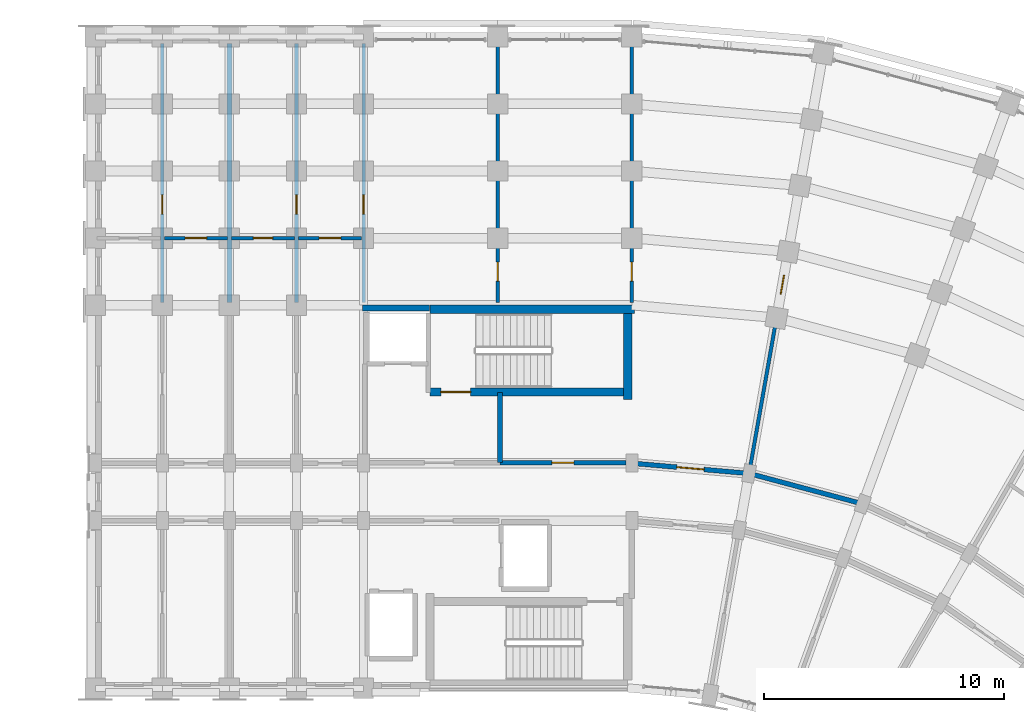
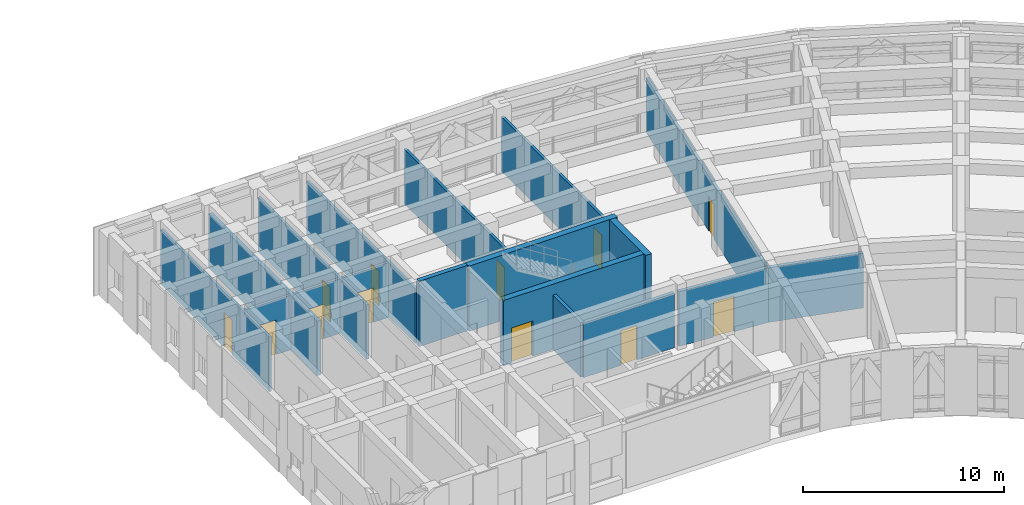
# One storey, part 74 of 97: 18 walls, 12 doors, 12 openings.
"""IFC4 building model written with IfcOpenShell, lengths in metres."""

from ifc_helpers import new_model, si_unit, direction, frame, frame_2d, origin, place, context, subcontext, project, spatial, rectangle, extrude, material, layer, layer_set, type_object, element, fill, save


model = new_model("IFC4")

# Units and contexts
model_context = context("Model", 3, precision=1e-05, world=origin(), true_north=direction((0.0, 1.0)))
body_context = subcontext(model_context, "Body", "Model", "MODEL_VIEW")
ifc_project = project(units=[si_unit("LENGTHUNIT", "METRE"), si_unit("AREAUNIT", "SQUARE_METRE"), si_unit("VOLUMEUNIT", "CUBIC_METRE"), si_unit("PLANEANGLEUNIT", "RADIAN"), si_unit("MASSUNIT", "GRAM", prefix="KILO")], contexts=[model_context])

# Site, building, storey
site_placement = place(None, origin())
site = spatial("IfcSite", under=ifc_project, at=site_placement, CompositionType="ELEMENT")
building_placement = place(site_placement, origin())
building = spatial("IfcBuilding", under=site, at=building_placement, Name="Kiranvali Square Residences", CompositionType="ELEMENT")
storey_placement = place(building_placement, frame((0.0, 0.0, 4.5)))
storey = spatial("IfcBuildingStorey", under=building, at=storey_placement, Name="L01", CompositionType="ELEMENT", Elevation=4.5)

# Wall, opening, door
ifc_material_1 = material(Name="Autoclaved aerated concrete blockwork masonry", Category="masonry")
ifc_layer_1 = layer(ifc_material_1, 0.199951171875)
ifc_layer_set_1 = layer_set([ifc_layer_1], Name="Autoclaved aerated concrete blockwork masonry")
wall_type_1 = type_object("IfcWallType", Name="WL-COR-200", PredefinedType="STANDARD", material=ifc_layer_set_1)
wall_1_placement = place(storey_placement, frame((119.800048828125, 116.0, 0.0), z_axis=(0.0, 0.0, 1.0), x_axis=(0.996193663584, -0.087167566415, 0.0)))
wall_1 = element("IfcWall", 1, at=wall_1_placement, inside=storey, type_object=wall_type_1, Name="L01 architectural wall WL-L01-B-CCO-0", PredefinedType="STANDARD", context=body_context, shape_type="SweptSolid", body=[
    extrude(rectangle(XDim=4.91552734375, YDim=0.199951171875, at=frame_2d((2.457763671875, 0.0))), origin(), (0.0, 0.0, 1.0), 3.322021484375),
])
opening_1_placement = place(wall_1_placement, frame((1.8876953125, 0.0, 0.0)))
opening_1 = element("IfcOpeningElement", 2, at=opening_1_placement, cuts=wall_1, Name="Opening FD-APT-60D", PredefinedType="OPENING", context=body_context, shape_type="SweptSolid", body=[
    extrude(rectangle(XDim=1.139892578125, YDim=2.14990234375, at=frame_2d((0.56982421875, 1.074951171875))), frame((0.0, 0.10986328125, 0.0), z_axis=(0.0, -1.0, 0.0), x_axis=(1.0, 0.0, 0.0)), (0.0, 0.0, 1.0), 0.219970703125),
])
ifc_material_2 = material(Name="Fire-rated acoustic hardwood and mineral-core door assembly", Category="wood")
door_type_1 = type_object("IfcDoorType", Name="DR-APT-1140", OperationType="NOTDEFINED", PredefinedType="DOOR", material=ifc_material_2)
door_1_placement = place(opening_1_placement, frame((1.139892578125, 0.0, 0.0), z_axis=(0.0, 0.0, 1.0), x_axis=(-1.0, 0.0, 0.0)))
door_1 = element("IfcDoor", 3, at=door_1_placement, inside=storey, type_object=door_type_1, Name="L01 door DR-L01-1036 (DR-APT-1140)", OperationType="SINGLE_SWING_RIGHT", OverallHeight=2.14990234375, OverallWidth=1.139892578125, PredefinedType="DOOR", context=body_context, shape_type="SweptSolid", body=[
    extrude(rectangle(XDim=1.139892578125, YDim=2.14990234375, at=frame_2d((0.56982421875, 1.074951171875))), frame((0.0, 0.02490234375, 0.0), z_axis=(0.0, -1.0, 0.0), x_axis=(1.0, 0.0, 0.0)), (0.0, 0.0, 1.0), 0.050048828125),
])
fill(opening_1, door_1)

# Walls
wall_2_placement = place(storey_placement, frame((124.69677734375, 115.571533203125, 0.0), z_axis=(0.0, 0.0, 1.0), x_axis=(0.965930095386, -0.258803112091, 0.0)))
element("IfcWall", 4, at=wall_2_placement, inside=storey, type_object=wall_type_1, Name="L01 architectural wall WL-L01-B-CCO-1", PredefinedType="STANDARD", context=body_context, shape_type="SweptSolid", body=[
    extrude(rectangle(XDim=4.915771484375, YDim=0.199951171875, at=frame_2d((2.4580078125, 0.0))), origin(), (0.0, 0.0, 1.0), 3.322021484375),
])
ifc_layer_2 = layer(ifc_material_1, 0.219970703125)
ifc_layer_set_2 = layer_set([ifc_layer_2], Name="Autoclaved aerated concrete blockwork masonry")
wall_type_2 = type_object("IfcWallType", Name="WL-DEM-220", PredefinedType="STANDARD", material=ifc_layer_set_2)
wall_3_placement = place(storey_placement, frame((103.0, 122.699951171875, 0.0), z_axis=(0.0, 0.0, 1.0), x_axis=(0.0, 1.0, 0.0)))
element("IfcWall", 5, at=wall_3_placement, inside=storey, type_object=wall_type_2, Name="L01 architectural wall WL-L01-B-A1TO2-2", PredefinedType="STANDARD", context=body_context, shape_type="SweptSolid", body=[
    extrude(rectangle(XDim=10.820068359375, YDim=0.219970703125, at=frame_2d((5.41015625, 0.0))), origin(), (0.0, 0.0, 1.0), 3.322021484375),
])
ifc_layer_3 = layer(ifc_material_1, 0.199951171875)
ifc_layer_set_3 = layer_set([ifc_layer_3], Name="Autoclaved aerated concrete blockwork masonry")
wall_type_3 = type_object("IfcWallType", Name="WL-FFL-200", PredefinedType="STANDARD", material=ifc_layer_set_3)
wall_4_placement = place(storey_placement, frame((114.300048828125, 116.02001953125, 0.0), z_axis=(0.0, 0.0, 1.0), x_axis=(0.0, 1.0, 0.0)))
element("IfcWall", 6, at=wall_4_placement, inside=storey, type_object=wall_type_3, Name="L01 architectural wall WL-L01-B-FF-DIV", PredefinedType="STANDARD", context=body_context, shape_type="SweptSolid", body=[
    extrude(rectangle(XDim=2.929931640625, YDim=0.199951171875, at=frame_2d((1.46484375, 0.0))), origin(), (0.0, 0.0, 1.0), 3.322021484375),
])

# Wall, opening, door
ifc_material_3 = material(Name="Acoustic gypsum board drylined partition", Category="gypsum")
ifc_layer_4 = layer(ifc_material_3, 0.14990234375)
ifc_layer_set_4 = layer_set([ifc_layer_4], Name="Acoustic gypsum board drylined partition")
wall_type_4 = type_object("IfcWallType", Name="WL-PRT-150", PredefinedType="PARTITIONING", material=ifc_layer_set_4)
wall_5_placement = place(storey_placement, frame((114.199951171875, 122.699951171875, 0.0), z_axis=(0.0, 0.0, 1.0), x_axis=(0.0, 1.0, 0.0)))
wall_5 = element("IfcWall", 7, at=wall_5_placement, inside=storey, type_object=wall_type_4, Name="L01 architectural wall WL-L01-B-CF-MID", PredefinedType="PARTITIONING", context=body_context, shape_type="SweptSolid", body=[
    extrude(rectangle(XDim=10.820068359375, YDim=0.14990234375, at=frame_2d((5.41015625, 0.0))), origin(), (0.0, 0.0, 1.0), 3.322021484375),
])
opening_2_placement = place(wall_5_placement, frame((0.8994140625, 0.0, 0.0)))
opening_2 = element("IfcOpeningElement", 8, at=opening_2_placement, cuts=wall_5, Name="Opening ID-WET", PredefinedType="OPENING", context=body_context, shape_type="SweptSolid", body=[
    extrude(rectangle(XDim=0.800048828125, YDim=2.10009765625, at=frame_2d((0.39990234375, 1.050048828125))), frame((0.0, 0.0849609375, 0.0), z_axis=(0.0, -1.0, 0.0), x_axis=(1.0, 0.0, 0.0)), (0.0, 0.0, 1.0), 0.169921875),
])
ifc_material_4 = material(Name="Solid seasoned teak hardwood joinery", Category="wood")
door_type_2 = type_object("IfcDoorType", Name="DR-WET-800", OperationType="NOTDEFINED", PredefinedType="DOOR", material=ifc_material_4)
door_2_placement = place(opening_2_placement, origin())
door_2 = element("IfcDoor", 9, at=door_2_placement, inside=storey, type_object=door_type_2, Name="L01 door DR-L01-1009 (DR-WET-800)", OperationType="SINGLE_SWING_LEFT", OverallHeight=2.10009765625, OverallWidth=0.800048828125, PredefinedType="DOOR", context=body_context, shape_type="SweptSolid", body=[
    extrude(rectangle(XDim=0.800048828125, YDim=2.10009765625, at=frame_2d((0.39990234375, 1.050048828125))), frame((0.0, 0.02490234375, 0.0), z_axis=(0.0, -1.0, 0.0), x_axis=(1.0, 0.0, 0.0)), (0.0, 0.0, 1.0), 0.050048828125),
])
fill(opening_2, door_2)

wall_6_placement = place(storey_placement, frame((108.60009765625, 122.699951171875, 0.0), z_axis=(0.0, 0.0, 1.0), x_axis=(0.0, 1.0, 0.0)))
wall_6 = element("IfcWall", 10, at=wall_6_placement, inside=storey, type_object=wall_type_4, Name="L01 architectural wall WL-L01-B-A1TO2-0", PredefinedType="PARTITIONING", context=body_context, shape_type="SweptSolid", body=[
    extrude(rectangle(XDim=10.820068359375, YDim=0.14990234375, at=frame_2d((5.41015625, 0.0))), origin(), (0.0, 0.0, 1.0), 3.322021484375),
])
opening_3_placement = place(wall_6_placement, frame((3.69970703125, 0.0, 0.0)))
opening_3 = element("IfcOpeningElement", 11, at=opening_3_placement, cuts=wall_6, Name="Opening ID-WET", PredefinedType="OPENING", context=body_context, shape_type="SweptSolid", body=[
    extrude(rectangle(XDim=0.800048828125, YDim=2.10009765625, at=frame_2d((0.39990234375, 1.050048828125))), frame((0.0, 0.0849609375, 0.0), z_axis=(0.0, -1.0, 0.0), x_axis=(1.0, 0.0, 0.0)), (0.0, 0.0, 1.0), 0.169921875),
])
door_3_placement = place(opening_3_placement, frame((0.800048828125, 0.0, 0.0), z_axis=(0.0, 0.0, 1.0), x_axis=(-1.0, 0.0, 0.0)))
door_3 = element("IfcDoor", 12, at=door_3_placement, inside=storey, type_object=door_type_2, Name="L01 door DR-L01-1018 (DR-WET-800)", OperationType="SINGLE_SWING_RIGHT", OverallHeight=2.10009765625, OverallWidth=0.800048828125, PredefinedType="DOOR", context=body_context, shape_type="SweptSolid", body=[
    extrude(rectangle(XDim=0.800048828125, YDim=2.10009765625, at=frame_2d((0.39990234375, 1.050048828125))), frame((0.0, 0.02490234375, 0.0), z_axis=(0.0, -1.0, 0.0), x_axis=(1.0, 0.0, 0.0)), (0.0, 0.0, 1.0), 0.050048828125),
])
fill(opening_3, door_3)

wall_7_placement = place(storey_placement, frame((105.800048828125, 122.699951171875, 0.0), z_axis=(0.0, 0.0, 1.0), x_axis=(0.0, 1.0, 0.0)))
wall_7 = element("IfcWall", 13, at=wall_7_placement, inside=storey, type_object=wall_type_4, Name="L01 architectural wall WL-L01-B-A1TO2-1", PredefinedType="PARTITIONING", context=body_context, shape_type="SweptSolid", body=[
    extrude(rectangle(XDim=10.820068359375, YDim=0.14990234375, at=frame_2d((5.41015625, 0.0))), origin(), (0.0, 0.0, 1.0), 3.322021484375),
])
opening_4_placement = place(wall_7_placement, frame((3.69970703125, 0.0, 0.0)))
opening_4 = element("IfcOpeningElement", 14, at=opening_4_placement, cuts=wall_7, Name="Opening ID-WET", PredefinedType="OPENING", context=body_context, shape_type="SweptSolid", body=[
    extrude(rectangle(XDim=0.800048828125, YDim=2.10009765625, at=frame_2d((0.39990234375, 1.050048828125))), frame((0.0, 0.0849609375, 0.0), z_axis=(0.0, -1.0, 0.0), x_axis=(1.0, 0.0, 0.0)), (0.0, 0.0, 1.0), 0.169921875),
])
door_4_placement = place(opening_4_placement, origin())
door_4 = element("IfcDoor", 15, at=door_4_placement, inside=storey, type_object=door_type_2, Name="L01 door DR-L01-1021 (DR-WET-800)", OperationType="SINGLE_SWING_LEFT", OverallHeight=2.10009765625, OverallWidth=0.800048828125, PredefinedType="DOOR", context=body_context, shape_type="SweptSolid", body=[
    extrude(rectangle(XDim=0.800048828125, YDim=2.10009765625, at=frame_2d((0.39990234375, 1.050048828125))), frame((0.0, 0.02490234375, 0.0), z_axis=(0.0, -1.0, 0.0), x_axis=(1.0, 0.0, 0.0)), (0.0, 0.0, 1.0), 0.050048828125),
])
fill(opening_4, door_4)

wall_8_placement = place(storey_placement, frame((100.199951171875, 122.699951171875, 0.0), z_axis=(0.0, 0.0, 1.0), x_axis=(0.0, 1.0, 0.0)))
wall_8 = element("IfcWall", 16, at=wall_8_placement, inside=storey, type_object=wall_type_4, Name="L01 architectural wall WL-L01-B-A1TO2-3", PredefinedType="PARTITIONING", context=body_context, shape_type="SweptSolid", body=[
    extrude(rectangle(XDim=10.820068359375, YDim=0.14990234375, at=frame_2d((5.41015625, 0.0))), origin(), (0.0, 0.0, 1.0), 3.322021484375),
])
opening_5_placement = place(wall_8_placement, frame((3.69970703125, 0.0, 0.0)))
opening_5 = element("IfcOpeningElement", 17, at=opening_5_placement, cuts=wall_8, Name="Opening ID-WET", PredefinedType="OPENING", context=body_context, shape_type="SweptSolid", body=[
    extrude(rectangle(XDim=0.800048828125, YDim=2.10009765625, at=frame_2d((0.39990234375, 1.050048828125))), frame((0.0, 0.0849609375, 0.0), z_axis=(0.0, -1.0, 0.0), x_axis=(1.0, 0.0, 0.0)), (0.0, 0.0, 1.0), 0.169921875),
])
door_5_placement = place(opening_5_placement, frame((0.800048828125, 0.0, 0.0), z_axis=(0.0, 0.0, 1.0), x_axis=(-1.0, 0.0, 0.0)))
door_5 = element("IfcDoor", 18, at=door_5_placement, inside=storey, type_object=door_type_2, Name="L01 door DR-L01-1024 (DR-WET-800)", OperationType="SINGLE_SWING_RIGHT", OverallHeight=2.10009765625, OverallWidth=0.800048828125, PredefinedType="DOOR", context=body_context, shape_type="SweptSolid", body=[
    extrude(rectangle(XDim=0.800048828125, YDim=2.10009765625, at=frame_2d((0.39990234375, 1.050048828125))), frame((0.0, 0.02490234375, 0.0), z_axis=(0.0, -1.0, 0.0), x_axis=(1.0, 0.0, 0.0)), (0.0, 0.0, 1.0), 0.050048828125),
])
fill(opening_5, door_5)

wall_9_placement = place(storey_placement, frame((119.800048828125, 122.699951171875, 0.0), z_axis=(0.0, 0.0, 1.0), x_axis=(0.0, 1.0, 0.0)))
wall_9 = element("IfcWall", 19, at=wall_9_placement, inside=storey, type_object=wall_type_4, Name="L01 architectural wall WL-L01-B-RADO-0", PredefinedType="PARTITIONING", context=body_context, shape_type="SweptSolid", body=[
    extrude(rectangle(XDim=10.820068359375, YDim=0.14990234375, at=frame_2d((5.41015625, 0.0))), origin(), (0.0, 0.0, 1.0), 3.322021484375),
])
opening_6_placement = place(wall_9_placement, frame((0.8994140625, 0.0, 0.0)))
opening_6 = element("IfcOpeningElement", 20, at=opening_6_placement, cuts=wall_9, Name="Opening ID-WET", PredefinedType="OPENING", context=body_context, shape_type="SweptSolid", body=[
    extrude(rectangle(XDim=0.800048828125, YDim=2.10009765625, at=frame_2d((0.39990234375, 1.050048828125))), frame((0.0, 0.0849609375, 0.0), z_axis=(0.0, -1.0, 0.0), x_axis=(1.0, 0.0, 0.0)), (0.0, 0.0, 1.0), 0.169921875),
])
door_6_placement = place(opening_6_placement, origin())
door_6 = element("IfcDoor", 21, at=door_6_placement, inside=storey, type_object=door_type_2, Name="L01 door DR-L01-1025 (DR-WET-800)", OperationType="SINGLE_SWING_LEFT", OverallHeight=2.10009765625, OverallWidth=0.800048828125, PredefinedType="DOOR", context=body_context, shape_type="SweptSolid", body=[
    extrude(rectangle(XDim=0.800048828125, YDim=2.10009765625, at=frame_2d((0.39990234375, 1.050048828125))), frame((0.0, 0.02490234375, 0.0), z_axis=(0.0, -1.0, 0.0), x_axis=(1.0, 0.0, 0.0)), (0.0, 0.0, 1.0), 0.050048828125),
])
fill(opening_6, door_6)

wall_10_placement = place(storey_placement, frame((124.71435546875, 115.670166015625, 0.0), z_axis=(0.0, 0.0, 1.0), x_axis=(0.173646216546, 0.984808098809, 0.0)))
wall_10 = element("IfcWall", 22, at=wall_10_placement, inside=storey, type_object=wall_type_4, Name="L01 architectural wall WL-L01-B-RADO-1", PredefinedType="PARTITIONING", context=body_context, shape_type="SweptSolid", body=[
    extrude(rectangle(XDim=17.419921875, YDim=0.14990234375, at=frame_2d((8.7099609375, 0.0))), origin(), (0.0, 0.0, 1.0), 3.322021484375),
])
opening_7_placement = place(wall_10_placement, frame((7.5, 0.0, 0.0)))
opening_7 = element("IfcOpeningElement", 23, at=opening_7_placement, cuts=wall_10, Name="Opening ID-WET", PredefinedType="OPENING", context=body_context, shape_type="SweptSolid", body=[
    extrude(rectangle(XDim=0.800048828125, YDim=2.10009765625, at=frame_2d((0.39990234375, 1.050048828125))), frame((0.0, 0.0849609375, 0.0), z_axis=(0.0, -1.0, 0.0), x_axis=(1.0, 0.0, 0.0)), (0.0, 0.0, 1.0), 0.169921875),
])
door_7_placement = place(opening_7_placement, origin())
door_7 = element("IfcDoor", 24, at=door_7_placement, inside=storey, type_object=door_type_2, Name="L01 door DR-L01-1027 (DR-WET-800)", OperationType="SINGLE_SWING_LEFT", OverallHeight=2.10009765625, OverallWidth=0.800048828125, PredefinedType="DOOR", context=body_context, shape_type="SweptSolid", body=[
    extrude(rectangle(XDim=0.800048828125, YDim=2.10009765625, at=frame_2d((0.39990234375, 1.050048828125))), frame((0.0, 0.02490234375, 0.0), z_axis=(0.0, -1.0, 0.0), x_axis=(1.0, 0.0, 0.0)), (0.0, 0.0, 1.0), 0.050048828125),
])
fill(opening_7, door_7)

ifc_layer_5 = layer(ifc_material_1, 0.199951171875)
ifc_layer_set_5 = layer_set([ifc_layer_5], Name="Autoclaved aerated concrete blockwork masonry")
wall_type_5 = type_object("IfcWallType", Name="WL-SHF-200", PredefinedType="STANDARD", material=ifc_layer_set_5)
wall_11_placement = place(storey_placement, frame((119.550048828125, 116.02001953125, 0.0), z_axis=(0.0, 0.0, 1.0), x_axis=(-1.0, 0.0, 0.0)))
wall_11 = element("IfcWall", 25, at=wall_11_placement, inside=storey, type_object=wall_type_5, Name="L01 architectural wall WL-L01-B-RSR-COR", PredefinedType="STANDARD", context=body_context, shape_type="SweptSolid", body=[
    extrude(rectangle(XDim=5.25, YDim=0.199951171875, at=frame_2d((2.625, 0.0))), origin(), (0.0, 0.0, 1.0), 3.322021484375),
])
opening_8_placement = place(wall_11_placement, frame((2.1650390625, 0.0, 0.0)))
opening_8 = element("IfcOpeningElement", 26, at=opening_8_placement, cuts=wall_11, Name="Opening FD-SVC-120", PredefinedType="OPENING", context=body_context, shape_type="SweptSolid", body=[
    extrude(rectangle(XDim=0.919921875, YDim=2.10009765625, at=frame_2d((0.4599609375, 1.050048828125))), frame((0.0, 0.10986328125, 0.0), z_axis=(0.0, -1.0, 0.0), x_axis=(1.0, 0.0, 0.0)), (0.0, 0.0, 1.0), 0.219970703125),
])
door_type_3 = type_object("IfcDoorType", Name="DR-SVC-900", OperationType="NOTDEFINED", PredefinedType="DOOR", material=ifc_material_2)
door_8_placement = place(opening_8_placement, origin())
door_8 = element("IfcDoor", 27, at=door_8_placement, inside=storey, type_object=door_type_3, Name="L01 door DR-L01-0999 (DR-SVC-900)", OperationType="SINGLE_SWING_LEFT", OverallHeight=2.10009765625, OverallWidth=0.919921875, PredefinedType="DOOR", context=body_context, shape_type="SweptSolid", body=[
    extrude(rectangle(XDim=0.919921875, YDim=2.10009765625, at=frame_2d((0.4599609375, 1.050048828125))), frame((0.0, 0.02490234375, 0.0), z_axis=(0.0, -1.0, 0.0), x_axis=(1.0, 0.0, 0.0)), (0.0, 0.0, 1.0), 0.050048828125),
])
fill(opening_8, door_8)

# Walls
ifc_material_5 = material(Name="Concrete M45 (45 MPa)", Category="concrete")
ifc_layer_6 = layer(ifc_material_5, 0.25)
ifc_layer_set_6 = layer_set([ifc_layer_6], Name="Concrete M45 (45 MPa)")
wall_type_6 = type_object("IfcWallType", Name="WL-SHR-250", PredefinedType="SHEAR", material=ifc_layer_set_6)
wall_12_placement = place(storey_placement, frame((111.35009765625, 122.47509765625, 0.0), z_axis=(0.0, 0.0, 1.0), x_axis=(-1.0, 0.0, 0.0)))
element("IfcWall", 28, at=wall_12_placement, inside=storey, type_object=wall_type_6, Name="Block B core shear wall SW-BFF-BK-L01", PredefinedType="SHEAR", context=body_context, shape_type="SweptSolid", body=[
    extrude(rectangle(XDim=2.800048828125, YDim=0.25, at=frame_2d((1.39990234375, 0.0))), origin(), (0.0, 0.0, 1.0), 3.97998046875),
])
ifc_material_6 = material(Name="Concrete M50 (50 MPa)", Category="concrete")
ifc_layer_7 = layer(ifc_material_6, 0.35009765625)
ifc_layer_set_7 = layer_set([ifc_layer_7], Name="Concrete M50 (50 MPa)")
wall_type_7 = type_object("IfcWallType", Name="WL-SHR-350", PredefinedType="SHEAR", material=ifc_layer_set_7)
wall_13_placement = place(storey_placement, frame((119.919921875, 122.425048828125, 0.0), z_axis=(0.0, 0.0, 1.0), x_axis=(-1.0, 0.0, 0.0)))
element("IfcWall", 29, at=wall_13_placement, inside=storey, type_object=wall_type_7, Name="Block B core shear wall SW-B1-OUT-L01", PredefinedType="SHEAR", context=body_context, shape_type="SweptSolid", body=[
    extrude(rectangle(XDim=8.544921875, YDim=0.35009765625, at=frame_2d((4.2724609375, 0.0))), origin(), (0.0, 0.0, 1.0), 3.97998046875),
])

# Wall, opening, door
wall_14_placement = place(storey_placement, frame((119.449951171875, 118.97509765625, 0.0), z_axis=(0.0, 0.0, 1.0), x_axis=(-1.0, 0.0, 0.0)))
wall_14 = element("IfcWall", 30, at=wall_14_placement, inside=storey, type_object=wall_type_7, Name="Block B core shear wall SW-B1-IN-L01", PredefinedType="SHEAR", context=body_context, shape_type="SweptSolid", body=[
    extrude(rectangle(XDim=8.074951171875, YDim=0.35009765625, at=frame_2d((4.03759765625, 0.0))), origin(), (0.0, 0.0, 1.0), 3.97998046875),
])
opening_9_placement = place(wall_14_placement, frame((6.3798828125, 0.0, 0.0)))
opening_9 = element("IfcOpeningElement", 31, at=opening_9_placement, cuts=wall_14, Name="Opening FD-ST-120", PredefinedType="OPENING", context=body_context, shape_type="SweptSolid", body=[
    extrude(rectangle(XDim=1.239990234375, YDim=2.14990234375, at=frame_2d((0.6201171875, 1.074951171875))), frame((0.0, 0.18505859375, 0.0), z_axis=(0.0, -1.0, 0.0), x_axis=(1.0, 0.0, 0.0)), (0.0, 0.0, 1.0), 0.3701171875),
])
door_type_4 = type_object("IfcDoorType", Name="DR-FD120-1200", OperationType="NOTDEFINED", PredefinedType="DOOR", material=ifc_material_2)
door_9_placement = place(opening_9_placement, frame((1.239990234375, 0.0, 0.0), z_axis=(0.0, 0.0, 1.0), x_axis=(-1.0, 0.0, 0.0)))
door_9 = element("IfcDoor", 32, at=door_9_placement, inside=storey, type_object=door_type_4, Name="L01 door DR-L01-1001 (DR-FD120-1200)", OperationType="SINGLE_SWING_LEFT", OverallHeight=2.14990234375, OverallWidth=1.239990234375, PredefinedType="DOOR", context=body_context, shape_type="SweptSolid", body=[
    extrude(rectangle(XDim=1.239990234375, YDim=2.14990234375, at=frame_2d((0.6201171875, 1.074951171875))), frame((0.0, 0.02490234375, 0.0), z_axis=(0.0, -1.0, 0.0), x_axis=(1.0, 0.0, 0.0)), (0.0, 0.0, 1.0), 0.050048828125),
])
fill(opening_9, door_9)

# Wall
wall_15_placement = place(storey_placement, frame((119.625, 118.64990234375, 0.0), z_axis=(0.0, 0.0, 1.0), x_axis=(0.0, 1.0, 0.0)))
element("IfcWall", 33, at=wall_15_placement, inside=storey, type_object=wall_type_7, Name="Block B core shear wall SW-B1-FAR-L01", PredefinedType="SHEAR", context=body_context, shape_type="SweptSolid", body=[
    extrude(rectangle(XDim=3.60009765625, YDim=0.35009765625, at=frame_2d((1.800048828125, 0.0))), origin(), (0.0, 0.0, 1.0), 3.97998046875),
])

# Wall, opening, door
ifc_layer_8 = layer(ifc_material_1, 0.14990234375)
ifc_layer_set_8 = layer_set([ifc_layer_8], Name="Autoclaved aerated concrete blockwork masonry")
wall_type_8 = type_object("IfcWallType", Name="WL-WET-150", PredefinedType="PLUMBINGWALL", material=ifc_layer_set_8)
wall_16_placement = place(storey_placement, frame((108.52001953125, 125.39990234375, 0.0), z_axis=(0.0, 0.0, 1.0), x_axis=(-1.0, 0.0, 0.0)))
wall_16 = element("IfcWall", 34, at=wall_16_placement, inside=storey, type_object=wall_type_8, Name="L01 architectural wall WL-L01-B-A1SP-0", PredefinedType="PLUMBINGWALL", context=body_context, shape_type="SweptSolid", body=[
    extrude(rectangle(XDim=2.64013671875, YDim=0.14990234375, at=frame_2d((1.320068359375, 0.0))), origin(), (0.0, 0.0, 1.0), 3.322021484375),
])
opening_10_placement = place(wall_16_placement, frame((0.8701171875, 0.0, 0.0)))
opening_10 = element("IfcOpeningElement", 35, at=opening_10_placement, cuts=wall_16, Name="Opening ID-1", PredefinedType="OPENING", context=body_context, shape_type="SweptSolid", body=[
    extrude(rectangle(XDim=0.89990234375, YDim=2.10009765625, at=frame_2d((0.449951171875, 1.050048828125))), frame((0.0, 0.0849609375, 0.0), z_axis=(0.0, -1.0, 0.0), x_axis=(1.0, 0.0, 0.0)), (0.0, 0.0, 1.0), 0.169921875),
])
door_type_5 = type_object("IfcDoorType", Name="DR-INT-900", OperationType="NOTDEFINED", PredefinedType="DOOR", material=ifc_material_4)
door_10_placement = place(opening_10_placement, origin())
door_10 = element("IfcDoor", 36, at=door_10_placement, inside=storey, type_object=door_type_5, Name="L01 door DR-L01-1011 (DR-INT-900)", OperationType="SINGLE_SWING_LEFT", OverallHeight=2.10009765625, OverallWidth=0.89990234375, PredefinedType="DOOR", context=body_context, shape_type="SweptSolid", body=[
    extrude(rectangle(XDim=0.89990234375, YDim=2.10009765625, at=frame_2d((0.449951171875, 1.050048828125))), frame((0.0, 0.02490234375, 0.0), z_axis=(0.0, -1.0, 0.0), x_axis=(1.0, 0.0, 0.0)), (0.0, 0.0, 1.0), 0.050048828125),
])
fill(opening_10, door_10)

wall_17_placement = place(storey_placement, frame((105.719970703125, 125.39990234375, 0.0), z_axis=(0.0, 0.0, 1.0), x_axis=(-1.0, 0.0, 0.0)))
wall_17 = element("IfcWall", 37, at=wall_17_placement, inside=storey, type_object=wall_type_8, Name="L01 architectural wall WL-L01-B-A1SP-1", PredefinedType="PLUMBINGWALL", context=body_context, shape_type="SweptSolid", body=[
    extrude(rectangle(XDim=2.639892578125, YDim=0.14990234375, at=frame_2d((1.31982421875, 0.0))), origin(), (0.0, 0.0, 1.0), 3.322021484375),
])
opening_11_placement = place(wall_17_placement, frame((0.919921875, 0.0, 0.0)))
opening_11 = element("IfcOpeningElement", 38, at=opening_11_placement, cuts=wall_17, Name="Opening ID-WET", PredefinedType="OPENING", context=body_context, shape_type="SweptSolid", body=[
    extrude(rectangle(XDim=0.800048828125, YDim=2.10009765625, at=frame_2d((0.39990234375, 1.050048828125))), frame((0.0, 0.0849609375, 0.0), z_axis=(0.0, -1.0, 0.0), x_axis=(1.0, 0.0, 0.0)), (0.0, 0.0, 1.0), 0.169921875),
])
door_11_placement = place(opening_11_placement, origin())
door_11 = element("IfcDoor", 39, at=door_11_placement, inside=storey, type_object=door_type_2, Name="L01 door DR-L01-1013 (DR-WET-800)", OperationType="SINGLE_SWING_LEFT", OverallHeight=2.10009765625, OverallWidth=0.800048828125, PredefinedType="DOOR", context=body_context, shape_type="SweptSolid", body=[
    extrude(rectangle(XDim=0.800048828125, YDim=2.10009765625, at=frame_2d((0.39990234375, 1.050048828125))), frame((0.0, 0.02490234375, 0.0), z_axis=(0.0, -1.0, 0.0), x_axis=(1.0, 0.0, 0.0)), (0.0, 0.0, 1.0), 0.050048828125),
])
fill(opening_11, door_11)

wall_18_placement = place(storey_placement, frame((102.919921875, 125.39990234375, 0.0), z_axis=(0.0, 0.0, 1.0), x_axis=(-1.0, 0.0, 0.0)))
wall_18 = element("IfcWall", 40, at=wall_18_placement, inside=storey, type_object=wall_type_8, Name="L01 architectural wall WL-L01-B-A1SP-2", PredefinedType="PLUMBINGWALL", context=body_context, shape_type="SweptSolid", body=[
    extrude(rectangle(XDim=2.639892578125, YDim=0.14990234375, at=frame_2d((1.31982421875, 0.0))), origin(), (0.0, 0.0, 1.0), 3.322021484375),
])
opening_12_placement = place(wall_18_placement, frame((0.8701171875, 0.0, 0.0)))
opening_12 = element("IfcOpeningElement", 41, at=opening_12_placement, cuts=wall_18, Name="Opening ID-1", PredefinedType="OPENING", context=body_context, shape_type="SweptSolid", body=[
    extrude(rectangle(XDim=0.89990234375, YDim=2.10009765625, at=frame_2d((0.449951171875, 1.050048828125))), frame((0.0, 0.0849609375, 0.0), z_axis=(0.0, -1.0, 0.0), x_axis=(1.0, 0.0, 0.0)), (0.0, 0.0, 1.0), 0.169921875),
])
door_12_placement = place(opening_12_placement, origin())
door_12 = element("IfcDoor", 42, at=door_12_placement, inside=storey, type_object=door_type_5, Name="L01 door DR-L01-1015 (DR-INT-900)", OperationType="SINGLE_SWING_LEFT", OverallHeight=2.10009765625, OverallWidth=0.89990234375, PredefinedType="DOOR", context=body_context, shape_type="SweptSolid", body=[
    extrude(rectangle(XDim=0.89990234375, YDim=2.10009765625, at=frame_2d((0.449951171875, 1.050048828125))), frame((0.0, 0.02490234375, 0.0), z_axis=(0.0, -1.0, 0.0), x_axis=(1.0, 0.0, 0.0)), (0.0, 0.0, 1.0), 0.050048828125),
])
fill(opening_12, door_12)

save(model, "model.ifc")
